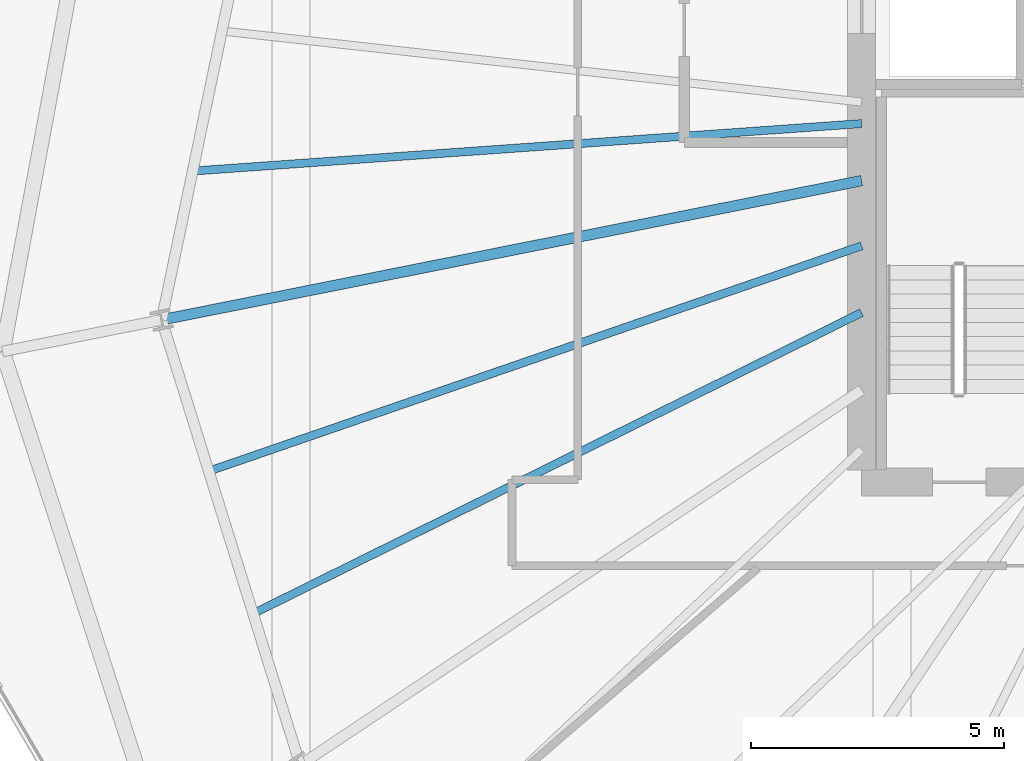
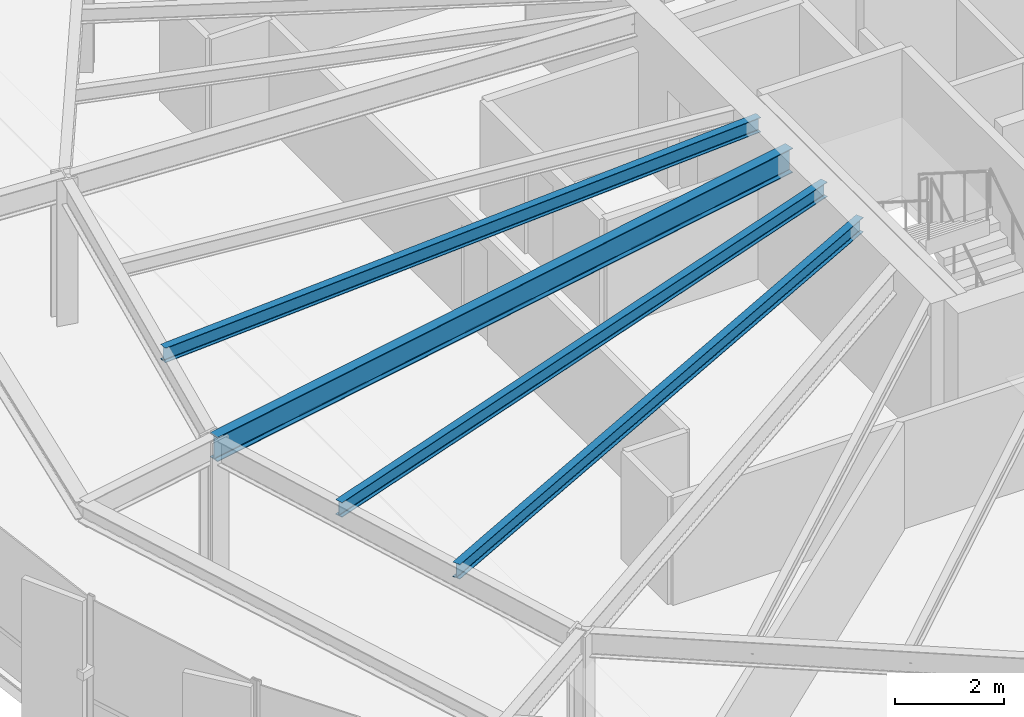
# One storey, part 9 of 37: 4 beams.
"""IFC4 building model written with IfcOpenShell, lengths in metres."""

from ifc_helpers import new_model, si_unit, direction, frame, origin, origin_2d, place, context, subcontext, project, spatial, i_section, extrude, source, transform, mapped, material, material_profile, profile_set, type_object, element, save


model = new_model("IFC4")

# Units and contexts
model_context = context("Model", 3, precision=1e-05, world=origin(), true_north=direction((0.0, 1.0)))
body_context = subcontext(model_context, "Body", "Model", "MODEL_VIEW")
ifc_project = project(units=[si_unit("LENGTHUNIT", "METRE"), si_unit("AREAUNIT", "SQUARE_METRE"), si_unit("VOLUMEUNIT", "CUBIC_METRE"), si_unit("PLANEANGLEUNIT", "RADIAN"), si_unit("MASSUNIT", "GRAM", prefix="KILO"), si_unit("THERMODYNAMICTEMPERATUREUNIT", "KELVIN")], contexts=[model_context])

# Site, building, storey
site_placement = place(None, origin())
site = spatial("IfcSite", under=ifc_project, at=site_placement, CompositionType="ELEMENT")
building_placement = place(site_placement, origin())
building = spatial("IfcBuilding", under=site, at=building_placement, Name="Kethvar Cultural Tower", CompositionType="ELEMENT")
storey_placement = place(building_placement, frame((0.0, 0.0, 132.35009765625)))
storey = spatial("IfcBuildingStorey", under=building, at=storey_placement, Name="L33", CompositionType="ELEMENT", Elevation=132.35009765625)

# Beams
ifc_material = material(Name="Steel S355J2", Category="steel")
ifc_material_profile_1 = material_profile(ifc_material, i_section(OverallWidth=0.2099609375, OverallDepth=0.550048828125, WebThickness=0.010986328125, FlangeThickness=0.01708984375, FilletRadius=0.02392578125, at=origin_2d()), Name="Steel S355J2 — IPE550")
ifc_profile_set_1 = profile_set([ifc_material_profile_1], Name="Steel S355J2 — IPE550")
beam_type_1 = type_object("IfcBeamType", Name="BM-IPE550", PredefinedType="BEAM", material=ifc_profile_set_1)
shared_shape_1 = source(origin(), body_context, "Body", "SweptSolid", [
    extrude(i_section(OverallWidth=0.2099609375, OverallDepth=0.550048828125, WebThickness=0.010986328125, FlangeThickness=0.01708984375, FilletRadius=0.02392578125, at=origin_2d()), origin(), (0.0, 0.0, 1.0), 14.085205078125),
])
beam_1_placement = place(storey_placement, frame((38.0, 26.049560546875, 3.02294921875), z_axis=(-0.98078679373, -0.195082713854, 0.0), x_axis=(0.195082713854, -0.98078679373, 0.0)))
element("IfcBeam", 1, at=beam_1_placement, inside=storey, type_object=beam_type_1, Name="L33 Primary Radial Beam RB-09", PredefinedType="BEAM", context=body_context, shape_type="MappedRepresentation", body=[
    mapped(shared_shape_1, transform((0.0, 0.0, 0.0), scale=1.0)),
])
ifc_material_profile_2 = material_profile(ifc_material, i_section(OverallWidth=0.159912109375, OverallDepth=0.330078125, WebThickness=0.007568359375, FlangeThickness=0.011474609375, FilletRadius=0.01806640625, at=origin_2d()), Name="Steel S355J2 — IPE330")
ifc_profile_set_2 = profile_set([ifc_material_profile_2], Name="Steel S355J2 — IPE330")
beam_type_2 = type_object("IfcBeamType", Name="BM-J330", PredefinedType="JOIST", material=ifc_profile_set_2)
shared_shape_2 = source(origin(), body_context, "Body", "SweptSolid", [
    extrude(i_section(OverallWidth=0.159912109375, OverallDepth=0.330078125, WebThickness=0.007568359375, FlangeThickness=0.011474609375, FilletRadius=0.01806640625, at=origin_2d()), origin(), (0.0, 0.0, 1.0), 13.234619140625),
])
beam_2_placement = place(storey_placement, frame((38.0, 27.175537109375, 3.1328125), z_axis=(-0.997490530945, -0.070800004767, 0.0), x_axis=(0.070800004767, -0.997490530945, 0.0)))
element("IfcBeam", 2, at=beam_2_placement, inside=storey, type_object=beam_type_2, Name="L33 Composite Floor Joist J-08B", PredefinedType="JOIST", context=body_context, shape_type="MappedRepresentation", body=[
    mapped(shared_shape_2, transform((0.0, 0.0, 0.0), scale=1.0)),
])
shared_shape_3 = source(origin(), body_context, "Body", "SweptSolid", [
    extrude(i_section(OverallWidth=0.159912109375, OverallDepth=0.330078125, WebThickness=0.007568359375, FlangeThickness=0.011474609375, FilletRadius=0.01806640625, at=origin_2d()), origin(), (0.0, 0.0, 1.0), 13.630615234375),
])
beam_3_placement = place(storey_placement, frame((38.0, 24.762451171875, 3.1328125), z_axis=(-0.945269577646, -0.326290400682, 0.0), x_axis=(0.326290400682, -0.945269577646, 0.0)))
element("IfcBeam", 3, at=beam_3_placement, inside=storey, type_object=beam_type_2, Name="L33 Composite Floor Joist J-09A", PredefinedType="JOIST", context=body_context, shape_type="MappedRepresentation", body=[
    mapped(shared_shape_3, transform((0.0, 0.0, 0.0), scale=1.0)),
])
shared_shape_4 = source(origin(), body_context, "Body", "SweptSolid", [
    extrude(i_section(OverallWidth=0.159912109375, OverallDepth=0.330078125, WebThickness=0.007568359375, FlangeThickness=0.011474609375, FilletRadius=0.01806640625, at=origin_2d()), origin(), (0.0, 0.0, 1.0), 13.39892578125),
])
beam_4_placement = place(storey_placement, frame((38.0, 23.44580078125, 3.1328125), z_axis=(-0.896292467417, -0.44346342899, 0.0), x_axis=(0.44346342899, -0.896292467417, 0.0)))
element("IfcBeam", 4, at=beam_4_placement, inside=storey, type_object=beam_type_2, Name="L33 Composite Floor Joist J-09B", PredefinedType="JOIST", context=body_context, shape_type="MappedRepresentation", body=[
    mapped(shared_shape_4, transform((0.0, 0.0, 0.0), scale=1.0)),
])

save(model, "model.ifc")
